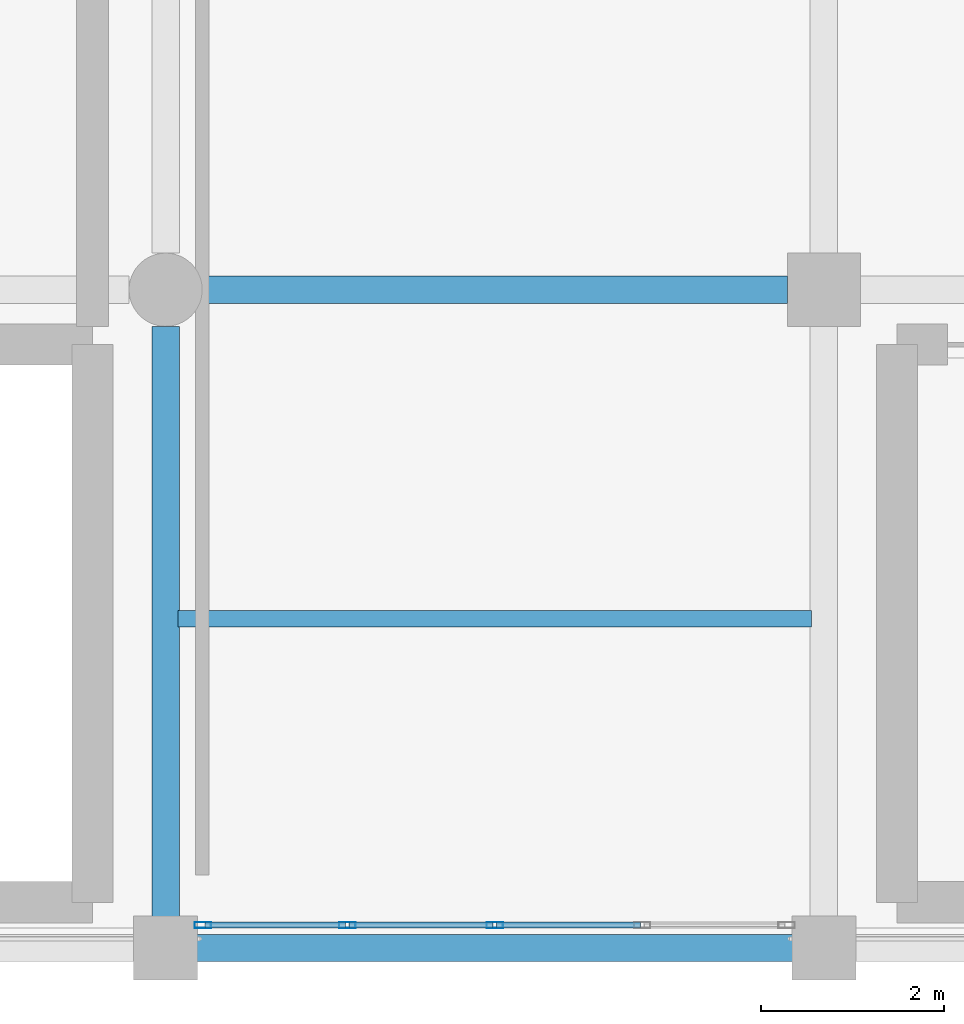
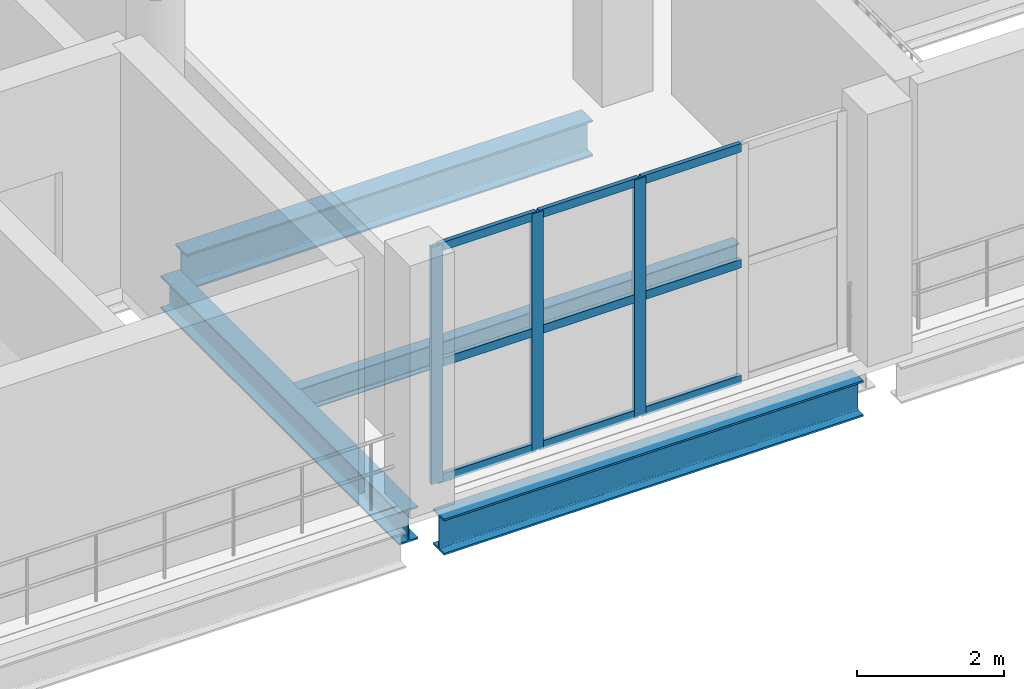
# One storey, part 15 of 153: 12 members, 4 beams, 1 element without a shape of its own.
"""IFC4 building model written with IfcOpenShell, lengths in metres."""

import ifcopenshell
import ifcopenshell.guid

model = None  # the IFC model being written
_history = None  # IfcOwnerHistory: only IFC2X3 demands one
_inside = {}  # id of a spatial element -> (the spatial element, [elements in it])
_under = {}  # id of a project, library or spatial element -> (it, [spatial elements below it])
_declared = {}  # id of a project -> (the project, [libraries it declares])
_typed = {}  # id of a type object -> (the type object, [elements of that type])
_made_of = {}  # id of a material, layer set ... -> (it, [elements and type objects made of it])


def new_model(schema):
    """Start an empty IFC model of exactly this schema.

    Asked for "IFC4X3", IfcOpenShell would pick the latest addendum, in which some entities
    have other attributes; the version numbers below select the first issue.
    IFC2X3 requires an IfcOwnerHistory on every rooted entity: one is made here for all.
    """
    global model, _history
    if schema == "IFC4X3":
        model = ifcopenshell.file(schema_version=(4, 3, 0, 0))
    else:
        model = ifcopenshell.file(schema=schema)
    _inside.clear()
    _under.clear()
    _declared.clear()
    _typed.clear()
    _made_of.clear()
    _history = None
    if model.schema == "IFC2X3":
        org = make("IfcOrganization", Name="unknown")
        user = make(
            "IfcPersonAndOrganization",
            ThePerson=make("IfcPerson", FamilyName="unknown"),
            TheOrganization=org,
        )
        app = make(
            "IfcApplication",
            ApplicationDeveloper=org,
            Version="unknown",
            ApplicationFullName="unknown",
            ApplicationIdentifier="unknown",
        )
        _history = make(
            "IfcOwnerHistory",
            OwningUser=user,
            OwningApplication=app,
            ChangeAction="ADDED",
            CreationDate=0,
        )
    return model


def make(cls, **values):
    """One entity of the class cls with the attributes given. An attribute that is None is left unset."""
    return model.create_entity(
        cls, **{name: value for name, value in values.items() if value is not None}
    )


def rooted(cls, **values):
    """An entity with a GlobalId (a new one), such as an element, a storey or a relation."""
    return make(cls, GlobalId=ifcopenshell.guid.new(), OwnerHistory=_history, **values)


def si_unit(unit_type, name, prefix=None):
    """IfcSIUnit, for example si_unit("LENGTHUNIT", "METRE", prefix="MILLI")."""
    return make("IfcSIUnit", UnitType=unit_type, Prefix=prefix, Name=name)


def assignment(units):
    """IfcUnitAssignment: the units of a project."""
    return None if units is None else make("IfcUnitAssignment", Units=units)


def point(xyz):
    """IfcCartesianPoint."""
    return None if xyz is None else make("IfcCartesianPoint", Coordinates=xyz)


def direction(xyz):
    """IfcDirection."""
    return None if xyz is None else make("IfcDirection", DirectionRatios=xyz)


def frame(location, z_axis=None, x_axis=None):
    """IfcAxis2Placement3D, a coordinate frame: its origin and axes. An axis left out is left unset."""
    return make(
        "IfcAxis2Placement3D",
        Location=point(location),
        Axis=direction(z_axis),
        RefDirection=direction(x_axis),
    )


def frame_2d(location, x_axis=None):
    """IfcAxis2Placement2D, a coordinate frame in the plane: its origin and x axis."""
    return make(
        "IfcAxis2Placement2D", Location=point(location), RefDirection=direction(x_axis)
    )


def origin():
    """The frame at (0, 0, 0) with its axes left unset."""
    return frame((0.0, 0.0, 0.0))


def origin_2d():
    """The frame at (0, 0) in the plane with its x axis left unset."""
    return frame_2d((0.0, 0.0))


def place(relative_to, where):
    """IfcLocalPlacement: puts the frame where relative to a parent placement (None: the world)."""
    return make(
        "IfcLocalPlacement", PlacementRelTo=relative_to, RelativePlacement=where
    )


def context(
    kind, dimensions, precision=None, world=None, true_north=None, identifier=None
):
    """IfcGeometricRepresentationContext, for example the 3D "Model" context."""
    return make(
        "IfcGeometricRepresentationContext",
        ContextIdentifier=identifier,
        ContextType=kind,
        CoordinateSpaceDimension=dimensions,
        Precision=precision,
        WorldCoordinateSystem=world,
        TrueNorth=true_north,
    )


def subcontext(parent, identifier, kind, view, scale=None):
    """IfcGeometricRepresentationSubContext, for example "Body" below "Model"."""
    return make(
        "IfcGeometricRepresentationSubContext",
        ContextIdentifier=identifier,
        ContextType=kind,
        ParentContext=parent,
        TargetScale=scale,
        TargetView=view,
    )


def project(units=None, contexts=None):
    """IfcProject with its units and contexts."""
    return rooted(
        "IfcProject",
        Name="project",
        RepresentationContexts=contexts,
        UnitsInContext=assignment(units),
    )


def spatial(cls, under=None, at=None, **own):
    """A site, building, storey or space (cls), placed at a placement, below another one or the project."""
    s = rooted(cls, ObjectPlacement=at, **own)
    if under is not None:
        _under.setdefault(under.id(), (under, []))[1].append(s)
    return s


def profile(cls, at=None, kind="AREA", **sizes):
    """A parametric profile (cls). Its sizes go by their IFC names, for example OverallWidth=200.0."""
    return make(cls, ProfileType=kind, Position=at, **sizes)


def hollow_rectangle(**sizes):
    """IfcRectangleHollowProfileDef."""
    return profile("IfcRectangleHollowProfileDef", **sizes)


def i_section(**sizes):
    """IfcIShapeProfileDef."""
    return profile("IfcIShapeProfileDef", **sizes)


def extrude(swept, where, along, depth):
    """IfcExtrudedAreaSolid: the profile swept, set in the frame where, extruded along a direction by depth."""
    return make(
        "IfcExtrudedAreaSolid",
        SweptArea=swept,
        Position=where,
        ExtrudedDirection=direction(along),
        Depth=depth,
    )


def shape(context_of_items, identifier, shape_type, items):
    """IfcShapeRepresentation: the items that make up one representation, for example the "Body"."""
    return make(
        "IfcShapeRepresentation",
        ContextOfItems=context_of_items,
        RepresentationIdentifier=identifier,
        RepresentationType=shape_type,
        Items=items,
    )


def material(Name=None, Category=None):
    """IfcMaterial."""
    return make("IfcMaterial", Name=Name, Category=Category)


def material_profile(
    of_material, cross_section, Name=None, Category=None, Priority=None
):
    """IfcMaterialProfile: a cross section and its material."""
    return make(
        "IfcMaterialProfile",
        Name=Name,
        Material=of_material,
        Profile=cross_section,
        Priority=Priority,
        Category=Category,
    )


def profile_set(profiles, Name=None, composite=None):
    """IfcMaterialProfileSet."""
    return make(
        "IfcMaterialProfileSet",
        Name=Name,
        MaterialProfiles=profiles,
        CompositeProfile=composite,
    )


def made_of(thing, what):
    """Note that an element or type object is made of a material, layer set ...; save() writes the relation."""
    if what is not None:
        _made_of.setdefault(what.id(), (what, []))[1].append(thing)
    return thing


def type_object(cls, material=None, **own):
    """A type object (cls), such as IfcWallType, which elements share."""
    return made_of(rooted(cls, **own), material)


def element(
    cls,
    number,
    at=None,
    inside=None,
    cuts=None,
    type_object=None,
    material=None,
    context=None,
    identifier="Body",
    shape_type=None,
    held_by="IfcProductDefinitionShape",
    body=None,
    shapes=None,
    **own,
):
    """One element of the class cls, such as IfcWall. Its Tag is "e" and its number.

    at: its placement. inside: the storey or other place that contains it. cuts: it is an
    opening in that element (IfcRelVoidsElement). A single representation is given by context,
    identifier, shape_type and body (its items); several are given by shapes. held_by: the class
    of the entity that holds the representations. save() writes the other relations.
    """
    e = rooted(cls, Tag="e%d" % number, ObjectPlacement=at, **own)
    if body is not None:
        shapes = [shape(context, identifier, shape_type, body)]
    if shapes is not None:
        e.Representation = make(held_by, Representations=shapes)
    if inside is not None:
        _inside.setdefault(inside.id(), (inside, []))[1].append(e)
    if cuts is not None:
        rooted(
            "IfcRelVoidsElement", RelatingBuildingElement=cuts, RelatedOpeningElement=e
        )
    if type_object is not None:
        _typed.setdefault(type_object.id(), (type_object, []))[1].append(e)
    return made_of(e, material)


def aggregate(whole, parts):
    """IfcRelAggregates: a whole, such as a stair, and the parts it consists of."""
    return rooted("IfcRelAggregates", RelatingObject=whole, RelatedObjects=parts)


def save(model, path):
    """Write the relations noted so far, then the file.

    IfcRelAggregates (storeys below a building ...), IfcRelContainedInSpatialStructure (elements
    in a storey), IfcRelDefinesByType, IfcRelAssociatesMaterial and IfcRelDeclares: one each for
    every whole, place, type object, material and project.
    """
    for whole, parts in _under.values():
        aggregate(whole, parts)
    for where, things in _inside.values():
        rooted(
            "IfcRelContainedInSpatialStructure",
            RelatedElements=things,
            RelatingStructure=where,
        )
    for kind, things in _typed.values():
        rooted("IfcRelDefinesByType", RelatedObjects=things, RelatingType=kind)
    for what, things in _made_of.values():
        rooted("IfcRelAssociatesMaterial", RelatedObjects=things, RelatingMaterial=what)
    for by, libraries in _declared.values():
        rooted("IfcRelDeclares", RelatingContext=by, RelatedDefinitions=libraries)
    model.write(path)


model = new_model("IFC4")

# Units and contexts
model_context = context("Model", 3, precision=1e-05, world=origin(), true_north=direction((0.0, 1.0)))
body_context = subcontext(model_context, "Body", "Model", "MODEL_VIEW")
ifc_project = project(units=[si_unit("LENGTHUNIT", "METRE"), si_unit("AREAUNIT", "SQUARE_METRE"), si_unit("VOLUMEUNIT", "CUBIC_METRE"), si_unit("PLANEANGLEUNIT", "RADIAN"), si_unit("MASSUNIT", "GRAM", prefix="KILO")], contexts=[model_context])

# Site, building, storey
site_placement = place(None, origin())
site = spatial("IfcSite", under=ifc_project, at=site_placement, CompositionType="ELEMENT")
building_placement = place(site_placement, origin())
building = spatial("IfcBuilding", under=site, at=building_placement, Name="Qandorah Velis Arena", CompositionType="ELEMENT")
storey_placement = place(building_placement, frame((0.0, 0.0, 5.39990234375)))
storey = spatial("IfcBuildingStorey", under=building, at=storey_placement, Name="L01", CompositionType="ELEMENT", Elevation=5.39990234375)

# Curtain wall, members
ifc_material_1 = material(Name="Solar-control low-E double glazing", Category="glass")
curtain_wall_type = type_object("IfcCurtainWallType", Name="ARC-CW-SYS10", PredefinedType="USERDEFINED", material=ifc_material_1)
curtain_wall_placement = place(storey_placement, origin())
curtain_wall = element("IfcCurtainWall", 1, at=curtain_wall_placement, inside=storey, type_object=curtain_wall_type, Name="Unitised curtain wall L01-058", ObjectType="UNITISED CURTAIN WALL", PredefinedType="USERDEFINED")
ifc_material_2 = material(Name="Champagne-bronze anodized aluminium 6063-T6", Category="aluminium")
ifc_material_profile_1 = material_profile(ifc_material_2, hollow_rectangle(XDim=0.06494140625, YDim=0.179931640625, WallThickness=0.00341796875, at=origin_2d()), Name="ALU MULLION 65x180")
ifc_profile_set_1 = profile_set([ifc_material_profile_1], Name="Champagne-bronze anodized aluminium 6063-T6")
member_type_1 = type_object("IfcMemberType", Name="ARC-CWM-180", PredefinedType="MULLION", material=ifc_profile_set_1)
member_1_placement = place(storey_placement, frame((43.607421875, 0.25, -0.014892578125), z_axis=(0.0, 0.0, 1.0), x_axis=(0.0, 1.0, 0.0)))
member_1 = element("IfcMember", 2, at=member_1_placement, type_object=member_type_1, Name="CW10 mullion 1", PredefinedType="MULLION", context=body_context, shape_type="SweptSolid", body=[
    extrude(hollow_rectangle(XDim=0.06494140625, YDim=0.179931640625, WallThickness=0.00341796875, at=origin_2d()), origin(), (0.0, 0.0, 1.0), 3.949951171875),
])
member_2_placement = place(storey_placement, frame((45.1875, 0.25, -0.014892578125), z_axis=(0.0, 0.0, 1.0), x_axis=(0.0, 1.0, 0.0)))
member_2 = element("IfcMember", 3, at=member_2_placement, type_object=member_type_1, Name="CW10 mullion 2", PredefinedType="MULLION", context=body_context, shape_type="SweptSolid", body=[
    extrude(hollow_rectangle(XDim=0.06494140625, YDim=0.179931640625, WallThickness=0.00341796875, at=origin_2d()), origin(), (0.0, 0.0, 1.0), 3.949951171875),
])
member_3_placement = place(storey_placement, frame((46.800048828125, 0.25, -0.014892578125), z_axis=(0.0, 0.0, 1.0), x_axis=(0.0, 1.0, 0.0)))
member_3 = element("IfcMember", 4, at=member_3_placement, type_object=member_type_1, Name="CW10 mullion 3", PredefinedType="MULLION", context=body_context, shape_type="SweptSolid", body=[
    extrude(hollow_rectangle(XDim=0.06494140625, YDim=0.179931640625, WallThickness=0.00341796875, at=origin_2d()), origin(), (0.0, 0.0, 1.0), 3.949951171875),
])
ifc_material_profile_2 = material_profile(ifc_material_2, hollow_rectangle(XDim=0.06494140625, YDim=0.139892578125, WallThickness=0.0029296875, at=origin_2d()), Name="ALU TRANSOM 65x140")
ifc_profile_set_2 = profile_set([ifc_material_profile_2], Name="Champagne-bronze anodized aluminium 6063-T6")
member_type_2 = type_object("IfcMemberType", Name="ARC-CWT-140", PredefinedType="USERDEFINED", material=ifc_profile_set_2)
member_4_placement = place(storey_placement, frame((43.6279296875, 0.25, 0.03271484375), z_axis=(1.0, 0.0, 0.0), x_axis=(0.0, 1.0, 0.0)))
member_4 = element("IfcMember", 5, at=member_4_placement, type_object=member_type_2, Name="CW10 transom 1.1", ObjectType="TRANSOM", PredefinedType="USERDEFINED", context=body_context, shape_type="SweptSolid", body=[
    extrude(hollow_rectangle(XDim=0.06494140625, YDim=0.139892578125, WallThickness=0.0029296875, at=origin_2d()), origin(), (0.0, 0.0, 1.0), 1.5390625),
])
member_5_placement = place(storey_placement, frame((43.6279296875, 0.25, 1.960205078125), z_axis=(1.0, 0.0, 0.0), x_axis=(0.0, 1.0, 0.0)))
member_5 = element("IfcMember", 6, at=member_5_placement, type_object=member_type_2, Name="CW10 transom 1.2", ObjectType="TRANSOM", PredefinedType="USERDEFINED", context=body_context, shape_type="SweptSolid", body=[
    extrude(hollow_rectangle(XDim=0.06494140625, YDim=0.139892578125, WallThickness=0.0029296875, at=origin_2d()), origin(), (0.0, 0.0, 1.0), 1.5390625),
])
member_6_placement = place(storey_placement, frame((43.6279296875, 0.25, 3.8876953125), z_axis=(1.0, 0.0, 0.0), x_axis=(0.0, 1.0, 0.0)))
member_6 = element("IfcMember", 7, at=member_6_placement, type_object=member_type_2, Name="CW10 transom 1.3", ObjectType="TRANSOM", PredefinedType="USERDEFINED", context=body_context, shape_type="SweptSolid", body=[
    extrude(hollow_rectangle(XDim=0.06494140625, YDim=0.139892578125, WallThickness=0.0029296875, at=origin_2d()), origin(), (0.0, 0.0, 1.0), 1.5390625),
])
member_7_placement = place(storey_placement, frame((45.2080078125, 0.25, 0.03271484375), z_axis=(1.0, 0.0, 0.0), x_axis=(0.0, 1.0, 0.0)))
member_7 = element("IfcMember", 8, at=member_7_placement, type_object=member_type_2, Name="CW10 transom 2.1", ObjectType="TRANSOM", PredefinedType="USERDEFINED", context=body_context, shape_type="SweptSolid", body=[
    extrude(hollow_rectangle(XDim=0.06494140625, YDim=0.139892578125, WallThickness=0.0029296875, at=origin_2d()), origin(), (0.0, 0.0, 1.0), 1.571533203125),
])
member_8_placement = place(storey_placement, frame((45.2080078125, 0.25, 1.960205078125), z_axis=(1.0, 0.0, 0.0), x_axis=(0.0, 1.0, 0.0)))
member_8 = element("IfcMember", 9, at=member_8_placement, type_object=member_type_2, Name="CW10 transom 2.2", ObjectType="TRANSOM", PredefinedType="USERDEFINED", context=body_context, shape_type="SweptSolid", body=[
    extrude(hollow_rectangle(XDim=0.06494140625, YDim=0.139892578125, WallThickness=0.0029296875, at=origin_2d()), origin(), (0.0, 0.0, 1.0), 1.571533203125),
])
member_9_placement = place(storey_placement, frame((45.2080078125, 0.25, 3.8876953125), z_axis=(1.0, 0.0, 0.0), x_axis=(0.0, 1.0, 0.0)))
member_9 = element("IfcMember", 10, at=member_9_placement, type_object=member_type_2, Name="CW10 transom 2.3", ObjectType="TRANSOM", PredefinedType="USERDEFINED", context=body_context, shape_type="SweptSolid", body=[
    extrude(hollow_rectangle(XDim=0.06494140625, YDim=0.139892578125, WallThickness=0.0029296875, at=origin_2d()), origin(), (0.0, 0.0, 1.0), 1.571533203125),
])
member_10_placement = place(storey_placement, frame((46.820556640625, 0.25, 0.03271484375), z_axis=(1.0, 0.0, 0.0), x_axis=(0.0, 1.0, 0.0)))
member_10 = element("IfcMember", 11, at=member_10_placement, type_object=member_type_2, Name="CW10 transom 3.1", ObjectType="TRANSOM", PredefinedType="USERDEFINED", context=body_context, shape_type="SweptSolid", body=[
    extrude(hollow_rectangle(XDim=0.06494140625, YDim=0.139892578125, WallThickness=0.0029296875, at=origin_2d()), origin(), (0.0, 0.0, 1.0), 1.571533203125),
])
member_11_placement = place(storey_placement, frame((46.820556640625, 0.25, 1.960205078125), z_axis=(1.0, 0.0, 0.0), x_axis=(0.0, 1.0, 0.0)))
member_11 = element("IfcMember", 12, at=member_11_placement, type_object=member_type_2, Name="CW10 transom 3.2", ObjectType="TRANSOM", PredefinedType="USERDEFINED", context=body_context, shape_type="SweptSolid", body=[
    extrude(hollow_rectangle(XDim=0.06494140625, YDim=0.139892578125, WallThickness=0.0029296875, at=origin_2d()), origin(), (0.0, 0.0, 1.0), 1.571533203125),
])
member_12_placement = place(storey_placement, frame((46.820556640625, 0.25, 3.8876953125), z_axis=(1.0, 0.0, 0.0), x_axis=(0.0, 1.0, 0.0)))
member_12 = element("IfcMember", 13, at=member_12_placement, type_object=member_type_2, Name="CW10 transom 3.3", ObjectType="TRANSOM", PredefinedType="USERDEFINED", context=body_context, shape_type="SweptSolid", body=[
    extrude(hollow_rectangle(XDim=0.06494140625, YDim=0.139892578125, WallThickness=0.0029296875, at=origin_2d()), origin(), (0.0, 0.0, 1.0), 1.571533203125),
])
aggregate(curtain_wall, [member_1, member_2, member_3, member_4, member_5, member_6, member_7, member_8, member_9, member_10, member_11, member_12])

# Beams
ifc_material_3 = material(Name="Steel S355", Category="steel")
ifc_material_profile_3 = material_profile(ifc_material_3, i_section(OverallWidth=0.300048828125, OverallDepth=0.550048828125, WebThickness=0.014892578125, FlangeThickness=0.029052734375, FilletRadius=0.027099609375, at=origin_2d()), Name="HEB 550")
ifc_profile_set_3 = profile_set([ifc_material_profile_3], Name="Steel S355")
beam_type_1 = type_object("IfcBeamType", Name="STR-BM-HEB550", PredefinedType="BEAM", material=ifc_profile_set_3)
beam_1_placement = place(storey_placement, frame((43.199951171875, 0.300048828125, -0.635009765625), z_axis=(0.0, 1.0, 0.0), x_axis=(-1.0, 0.0, 0.0)))
element("IfcBeam", 14, at=beam_1_placement, inside=storey, type_object=beam_type_1, Name="Primary floor girder L01 Y-306", PredefinedType="BEAM", context=body_context, shape_type="SweptSolid", body=[
    extrude(i_section(OverallWidth=0.300048828125, OverallDepth=0.550048828125, WebThickness=0.014892578125, FlangeThickness=0.029052734375, FilletRadius=0.027099609375, at=origin_2d()), origin(), (0.0, 0.0, 1.0), 6.5),
])
ifc_material_profile_4 = material_profile(ifc_material_3, i_section(OverallWidth=0.300048828125, OverallDepth=0.60009765625, WebThickness=0.015380859375, FlangeThickness=0.030029296875, FilletRadius=0.027099609375, at=origin_2d()), Name="HEB 600")
ifc_profile_set_4 = profile_set([ifc_material_profile_4], Name="Steel S355")
beam_type_2 = type_object("IfcBeamType", Name="STR-BM-HEB600", PredefinedType="BEAM", material=ifc_profile_set_4)
beam_2_placement = place(storey_placement, frame((43.5, 0.0, -0.659912109375), z_axis=(1.0, 0.0, 0.0), x_axis=(0.0, 1.0, 0.0)))
element("IfcBeam", 15, at=beam_2_placement, inside=storey, type_object=beam_type_2, Name="Primary floor girder L01 X-007", PredefinedType="BEAM", context=body_context, shape_type="SweptSolid", body=[
    extrude(i_section(OverallWidth=0.300048828125, OverallDepth=0.60009765625, WebThickness=0.015380859375, FlangeThickness=0.030029296875, FilletRadius=0.027099609375, at=origin_2d()), origin(), (0.0, 0.0, 1.0), 6.60009765625),
])
beam_3_placement = place(storey_placement, frame((43.60009765625, 7.199951171875, -0.659912109375), z_axis=(1.0, 0.0, 0.0), x_axis=(0.0, 1.0, 0.0)))
element("IfcBeam", 16, at=beam_3_placement, inside=storey, type_object=beam_type_2, Name="Primary floor girder L01 X-023", PredefinedType="BEAM", context=body_context, shape_type="SweptSolid", body=[
    extrude(i_section(OverallWidth=0.300048828125, OverallDepth=0.60009765625, WebThickness=0.015380859375, FlangeThickness=0.030029296875, FilletRadius=0.027099609375, at=origin_2d()), origin(), (0.0, 0.0, 1.0), 6.39990234375),
])
ifc_material_profile_5 = material_profile(ifc_material_3, i_section(OverallWidth=0.179931640625, OverallDepth=0.39990234375, WebThickness=0.008544921875, FlangeThickness=0.013427734375, FilletRadius=0.02099609375, at=origin_2d()), Name="IPE 400")
ifc_profile_set_5 = profile_set([ifc_material_profile_5], Name="Steel S355")
beam_type_3 = type_object("IfcBeamType", Name="STR-JST-IPE400", PredefinedType="JOIST", material=ifc_profile_set_5)
beam_4_placement = place(storey_placement, frame((43.3349609375, 3.60009765625, -0.559814453125), z_axis=(1.0, 0.0, 0.0), x_axis=(0.0, 1.0, 0.0)))
element("IfcBeam", 17, at=beam_4_placement, inside=storey, type_object=beam_type_3, Name="Secondary floor joist L01-069", PredefinedType="JOIST", context=body_context, shape_type="SweptSolid", body=[
    extrude(i_section(OverallWidth=0.179931640625, OverallDepth=0.39990234375, WebThickness=0.008544921875, FlangeThickness=0.013427734375, FilletRadius=0.02099609375, at=origin_2d()), origin(), (0.0, 0.0, 1.0), 6.929931640625),
])

save(model, "model.ifc")
